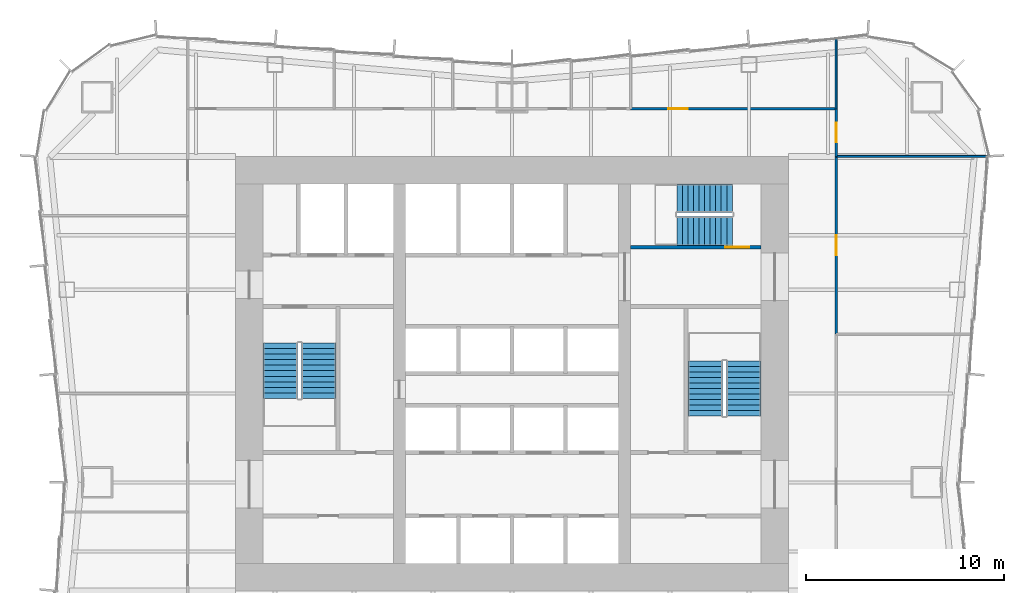
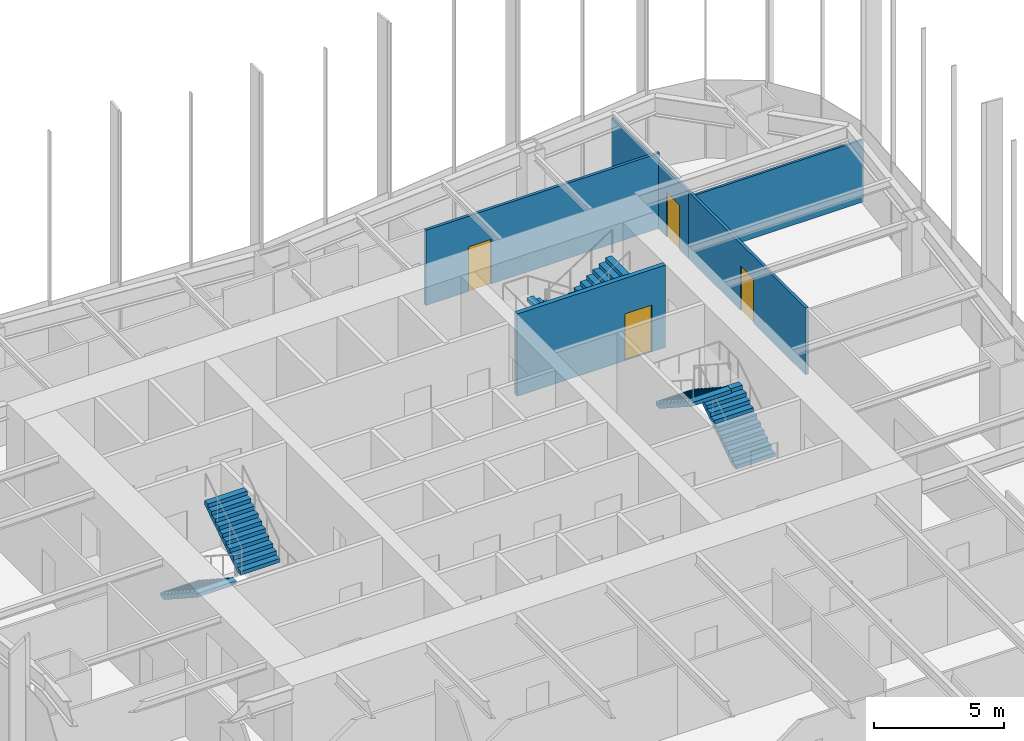
# One storey, part 12 of 13: 6 stair flights, 6 walls, 4 doors, 4 openings, 3 elements without a shape of their own.
"""IFC4 building model written with IfcOpenShell, lengths in metres."""

from ifc_helpers import new_model, si_unit, direction, frame, frame_2d, origin, place, context, subcontext, project, spatial, polyline, rectangle, outline, extrude, material, layer, layer_set, type_object, element, fill, aggregate, save


model = new_model("IFC4")

# Units and contexts
model_context = context("Model", 3, precision=1e-05, world=origin(), true_north=direction((0.0, 1.0)))
body_context = subcontext(model_context, "Body", "Model", "MODEL_VIEW")
ifc_project = project(units=[si_unit("LENGTHUNIT", "METRE"), si_unit("AREAUNIT", "SQUARE_METRE"), si_unit("VOLUMEUNIT", "CUBIC_METRE"), si_unit("PLANEANGLEUNIT", "RADIAN"), si_unit("MASSUNIT", "GRAM", prefix="KILO")], contexts=[model_context])

# Site, building, storey
site_placement = place(None, origin())
site = spatial("IfcSite", under=ifc_project, at=site_placement, CompositionType="ELEMENT")
building_placement = place(site_placement, origin())
building = spatial("IfcBuilding", under=site, at=building_placement, Name="Verdant Reach Tower", CompositionType="ELEMENT")
storey_placement = place(building_placement, frame((0.0, 0.0, 14.0)))
storey = spatial("IfcBuildingStorey", under=building, at=storey_placement, Name="L02", CompositionType="ELEMENT", Elevation=14.0)

# Wall, opening, door
ifc_material_1 = material(Name="Concrete C40/50", Category="concrete")
ifc_layer_1 = layer(ifc_material_1, 0.199951171875)
ifc_layer_set_1 = layer_set([ifc_layer_1], Name="CO-WALL-STAIR")
wall_type_1 = type_object("IfcWallType", Name="CO-WALL-STAIR", PredefinedType="PARTITIONING", material=ifc_layer_set_1)
wall_1_placement = place(storey_placement, frame((6.0, 34.39990234375, 0.0), z_axis=(0.0, 0.0, 1.0), x_axis=(1.0, 0.0, 0.0)))
wall_1 = element("IfcWall", 1, at=wall_1_placement, inside=storey, type_object=wall_type_1, Name="Stair enclosure wall, L02", PredefinedType="PARTITIONING", context=body_context, shape_type="SweptSolid", body=[
    extrude(rectangle(XDim=6.60009765625, YDim=0.199951171875, at=frame_2d((3.300048828125, 0.0))), origin(), (0.0, 0.0, 1.0), 3.8701171875),
])
opening_1_placement = place(wall_1_placement, frame((4.800048828125, 0.0, 0.0)))
opening_1 = element("IfcOpeningElement", 2, at=opening_1_placement, cuts=wall_1, Name="Opening SD", PredefinedType="OPENING", context=body_context, shape_type="SweptSolid", body=[
    extrude(rectangle(XDim=1.199951171875, YDim=2.199951171875, at=frame_2d((0.60009765625, 1.10009765625))), frame((0.0, 0.10986328125, 0.0), z_axis=(0.0, -1.0, 0.0), x_axis=(1.0, 0.0, 0.0)), (0.0, 0.0, 1.0), 0.219970703125),
])
ifc_material_2 = material(Name="Steel", Category="steel")
door_type_1 = type_object("IfcDoorType", Name="CO-DOOR-STAIR", OperationType="NOTDEFINED", PredefinedType="DOOR", material=ifc_material_2)
door_1_placement = place(opening_1_placement, origin())
door_1 = element("IfcDoor", 3, at=door_1_placement, inside=storey, type_object=door_type_1, Name="Stair door, L02", OperationType="SINGLE_SWING_RIGHT", OverallHeight=2.199951171875, OverallWidth=1.199951171875, PredefinedType="DOOR", context=body_context, shape_type="SweptSolid", body=[
    extrude(rectangle(XDim=1.199951171875, YDim=2.199951171875, at=frame_2d((0.60009765625, 1.10009765625))), frame((0.0, 0.02490234375, 0.0), z_axis=(0.0, -1.0, 0.0), x_axis=(1.0, 0.0, 0.0)), (0.0, 0.0, 1.0), 0.050048828125),
])
fill(opening_1, door_1)

# Walls
ifc_material_3 = material(Name="Gypsum board on steel studs", Category="steel")
ifc_layer_2 = layer(ifc_material_3, 0.10009765625)
ifc_layer_set_2 = layer_set([ifc_layer_2], Name="FL-W1 Partition 100")
wall_type_2 = type_object("IfcWallType", Name="FL-W1 Partition 100", PredefinedType="PARTITIONING", material=ifc_layer_set_2)
wall_2_placement = place(storey_placement, frame((16.39990234375, 41.39599609375, 0.0), z_axis=(0.0, 0.0, 1.0), x_axis=(0.0, 1.0, 0.0)))
element("IfcWall", 4, at=wall_2_placement, inside=storey, type_object=wall_type_2, Name="Partition 02.48", PredefinedType="PARTITIONING", context=body_context, shape_type="SweptSolid", body=[
    extrude(rectangle(XDim=3.55078125, YDim=0.10009765625, at=frame_2d((1.775390625, 0.0))), origin(), (0.0, 0.0, 1.0), 3.0400390625),
])
wall_3_placement = place(storey_placement, frame((24.080078125, 39.0, 0.0), z_axis=(0.0, 0.0, 1.0), x_axis=(-1.0, 0.0, 0.0)))
element("IfcWall", 5, at=wall_3_placement, inside=storey, type_object=wall_type_2, Name="Partition 02.53", PredefinedType="PARTITIONING", context=body_context, shape_type="SweptSolid", body=[
    extrude(rectangle(XDim=7.68017578125, YDim=0.10009765625, at=frame_2d((3.840087890625, 0.0))), origin(), (0.0, 0.0, 1.0), 2.929931640625),
])

# Wall, opening, door
ifc_material_4 = material(Name="Gypsum board on steel studs, fire rated", Category="steel")
ifc_layer_3 = layer(ifc_material_4, 0.125)
ifc_layer_set_3 = layer_set([ifc_layer_3], Name="FL-W2 Corridor wall 125")
wall_type_3 = type_object("IfcWallType", Name="FL-W2 Corridor wall 125", PredefinedType="PARTITIONING", material=ifc_layer_set_3)
wall_4_placement = place(storey_placement, frame((6.0, 41.39990234375, 0.0), z_axis=(0.0, 0.0, 1.0), x_axis=(1.0, 0.0, 0.0)))
wall_4 = element("IfcWall", 6, at=wall_4_placement, inside=storey, type_object=wall_type_3, Name="Partition 02.11", PredefinedType="PARTITIONING", context=body_context, shape_type="SweptSolid", body=[
    extrude(rectangle(XDim=10.39990234375, YDim=0.125, at=frame_2d((5.199951171875, 0.0))), origin(), (0.0, 0.0, 1.0), 3.5400390625),
])
opening_2_placement = place(wall_4_placement, frame((1.89990234375, 0.0, 0.0)))
opening_2 = element("IfcOpeningElement", 7, at=opening_2_placement, cuts=wall_4, Name="Opening D2", PredefinedType="OPENING", context=body_context, shape_type="SweptSolid", body=[
    extrude(rectangle(XDim=1.0, YDim=2.10009765625, at=frame_2d((0.5, 1.050048828125))), frame((0.0, 0.072509765625, 0.0), z_axis=(0.0, -1.0, 0.0), x_axis=(1.0, 0.0, 0.0)), (0.0, 0.0, 1.0), 0.14501953125),
])
ifc_material_5 = material(Name="Timber door leaf, fire rated", Category="wood")
door_type_2 = type_object("IfcDoorType", Name="FL-D2 Entrance door 1000x2100 FD30", OperationType="NOTDEFINED", PredefinedType="DOOR", material=ifc_material_5)
door_2_placement = place(opening_2_placement, origin())
door_2 = element("IfcDoor", 8, at=door_2_placement, inside=storey, type_object=door_type_2, Name="Door 02-011", OperationType="SINGLE_SWING_LEFT", OverallHeight=2.10009765625, OverallWidth=1.0, PredefinedType="DOOR", context=body_context, shape_type="SweptSolid", body=[
    extrude(rectangle(XDim=1.0, YDim=2.10009765625, at=frame_2d((0.5, 1.050048828125))), frame((0.0, 0.02490234375, 0.0), z_axis=(0.0, -1.0, 0.0), x_axis=(1.0, 0.0, 0.0)), (0.0, 0.0, 1.0), 0.050048828125),
])
fill(opening_2, door_2)

wall_5_placement = place(storey_placement, frame((16.39990234375, 39.0, 0.0), z_axis=(0.0, 0.0, 1.0), x_axis=(0.0, -1.0, 0.0)))
wall_5 = element("IfcWall", 9, at=wall_5_placement, inside=storey, type_object=wall_type_3, Name="Partition 02.17", PredefinedType="PARTITIONING", context=body_context, shape_type="SweptSolid", body=[
    extrude(rectangle(XDim=9.0, YDim=0.125, at=frame_2d((4.5, 0.0))), origin(), (0.0, 0.0, 1.0), 3.139892578125),
])
opening_3_placement = place(wall_5_placement, frame((4.0, 0.0, 0.0)))
opening_3 = element("IfcOpeningElement", 10, at=opening_3_placement, cuts=wall_5, Name="Opening D2", PredefinedType="OPENING", context=body_context, shape_type="SweptSolid", body=[
    extrude(rectangle(XDim=1.0, YDim=2.10009765625, at=frame_2d((0.5, 1.050048828125))), frame((0.0, 0.072509765625, 0.0), z_axis=(0.0, -1.0, 0.0), x_axis=(1.0, 0.0, 0.0)), (0.0, 0.0, 1.0), 0.14501953125),
])
door_3_placement = place(opening_3_placement, origin())
door_3 = element("IfcDoor", 11, at=door_3_placement, inside=storey, type_object=door_type_2, Name="Door 02-017", OperationType="SINGLE_SWING_LEFT", OverallHeight=2.10009765625, OverallWidth=1.0, PredefinedType="DOOR", context=body_context, shape_type="SweptSolid", body=[
    extrude(rectangle(XDim=1.0, YDim=2.10009765625, at=frame_2d((0.5, 1.050048828125))), frame((0.0, 0.02490234375, 0.0), z_axis=(0.0, -1.0, 0.0), x_axis=(1.0, 0.0, 0.0)), (0.0, 0.0, 1.0), 0.050048828125),
])
fill(opening_3, door_3)

wall_6_placement = place(storey_placement, frame((16.39990234375, 41.404052734375, 0.0), z_axis=(0.0, 0.0, 1.0), x_axis=(0.0, -1.0, 0.0)))
wall_6 = element("IfcWall", 12, at=wall_6_placement, inside=storey, type_object=wall_type_3, Name="Partition 02.18", PredefinedType="PARTITIONING", context=body_context, shape_type="SweptSolid", body=[
    extrude(rectangle(XDim=2.404052734375, YDim=0.125, at=frame_2d((1.2021484375, 0.0))), origin(), (0.0, 0.0, 1.0), 3.139892578125),
])
opening_4_placement = place(wall_6_placement, frame((0.701904296875, 0.0, 0.0)))
opening_4 = element("IfcOpeningElement", 13, at=opening_4_placement, cuts=wall_6, Name="Opening D2", PredefinedType="OPENING", context=body_context, shape_type="SweptSolid", body=[
    extrude(rectangle(XDim=1.0, YDim=2.10009765625, at=frame_2d((0.5, 1.050048828125))), frame((0.0, 0.072509765625, 0.0), z_axis=(0.0, -1.0, 0.0), x_axis=(1.0, 0.0, 0.0)), (0.0, 0.0, 1.0), 0.14501953125),
])
door_4_placement = place(opening_4_placement, origin())
door_4 = element("IfcDoor", 14, at=door_4_placement, inside=storey, type_object=door_type_2, Name="Door 02-018", OperationType="SINGLE_SWING_RIGHT", OverallHeight=2.10009765625, OverallWidth=1.0, PredefinedType="DOOR", context=body_context, shape_type="SweptSolid", body=[
    extrude(rectangle(XDim=1.0, YDim=2.10009765625, at=frame_2d((0.5, 1.050048828125))), frame((0.0, 0.02490234375, 0.0), z_axis=(0.0, -1.0, 0.0), x_axis=(1.0, 0.0, 0.0)), (0.0, 0.0, 1.0), 0.050048828125),
])
fill(opening_4, door_4)

# Stair, stair flights
stair_type = type_object("IfcStairType", Name="CO-STAIR", PredefinedType="HALF_TURN_STAIR", material=ifc_material_1)
stair_1_placement = place(storey_placement, origin())
stair_1 = element("IfcStair", 15, at=stair_1_placement, inside=storey, type_object=stair_type, Name="L02 Exit stair 1", PredefinedType="HALF_TURN_STAIR")
stair_flight_type = type_object("IfcStairFlightType", Name="CO-STAIR-FLIGHT", PredefinedType="STRAIGHT", material=ifc_material_1)
stair_flight_1_placement = place(storey_placement, frame((-11.72509765625, 29.550048828125, 0.0), z_axis=(0.0, 0.0, 1.0), x_axis=(0.0, -1.0, 0.0)))
stair_flight_1 = element("IfcStairFlight", 16, at=stair_flight_1_placement, type_object=stair_flight_type, Name="ST-1 flight 1", NumberOfRisers=11, NumberOfTreads=10, PredefinedType="STRAIGHT", RiserHeight=0.181818182, TreadLength=0.28, context=body_context, shape_type="SweptSolid", body=[
    extrude(outline(polyline([(0.0, 0.0), (0.0, 0.181884765625), (0.280029296875, 0.181884765625), (0.280029296875, 0.363525390625), (0.56005859375, 0.363525390625), (0.56005859375, 0.54541015625), (0.840087890625, 0.54541015625), (0.840087890625, 0.727294921875), (1.1201171875, 0.727294921875), (1.1201171875, 0.9091796875), (1.39990234375, 0.9091796875), (1.39990234375, 1.0908203125), (1.679931640625, 1.0908203125), (1.679931640625, 1.272705078125), (1.9599609375, 1.272705078125), (1.9599609375, 1.45458984375), (2.239990234375, 1.45458984375), (2.239990234375, 1.636474609375), (2.52001953125, 1.636474609375), (2.52001953125, 1.818115234375), (2.800048828125, 1.818115234375), (2.800048828125, 2.0), (2.800048828125, 1.639404296875), (0.275146484375, 0.0), (0.0, 0.0)])), frame((0.0, 0.875, 0.0), z_axis=(0.0, -1.0, 0.0), x_axis=(1.0, 0.0, 0.0)), (0.0, 0.0, 1.0), 1.75),
])
stair_flight_2_placement = place(storey_placement, frame((-9.77490234375, 26.75, 2.0), z_axis=(0.0, 0.0, 1.0), x_axis=(0.0, 1.0, 0.0)))
stair_flight_2 = element("IfcStairFlight", 17, at=stair_flight_2_placement, type_object=stair_flight_type, Name="ST-1 flight 2", NumberOfRisers=11, NumberOfTreads=10, PredefinedType="STRAIGHT", RiserHeight=0.181818182, TreadLength=0.28, context=body_context, shape_type="SweptSolid", body=[
    extrude(outline(polyline([(0.0, 0.0), (0.0, 0.181884765625), (0.280029296875, 0.181884765625), (0.280029296875, 0.363525390625), (0.56005859375, 0.363525390625), (0.56005859375, 0.54541015625), (0.840087890625, 0.54541015625), (0.840087890625, 0.727294921875), (1.1201171875, 0.727294921875), (1.1201171875, 0.9091796875), (1.39990234375, 0.9091796875), (1.39990234375, 1.0908203125), (1.679931640625, 1.0908203125), (1.679931640625, 1.272705078125), (1.9599609375, 1.272705078125), (1.9599609375, 1.45458984375), (2.239990234375, 1.45458984375), (2.239990234375, 1.636474609375), (2.52001953125, 1.636474609375), (2.52001953125, 1.818115234375), (2.800048828125, 1.818115234375), (2.800048828125, 2.0), (2.800048828125, 1.639404296875), (0.275146484375, 0.0), (0.0, 0.0)])), frame((0.0, 0.875, 0.0), z_axis=(0.0, -1.0, 0.0), x_axis=(1.0, 0.0, 0.0)), (0.0, 0.0, 1.0), 1.75),
])
aggregate(stair_1, [stair_flight_1, stair_flight_2])

stair_2_placement = place(storey_placement, origin())
stair_2 = element("IfcStair", 18, at=stair_2_placement, inside=storey, type_object=stair_type, Name="L02 Exit stair 2", PredefinedType="HALF_TURN_STAIR")
stair_flight_3_placement = place(storey_placement, frame((11.72509765625, 25.85009765625, 0.0), z_axis=(0.0, 0.0, 1.0), x_axis=(0.0, 1.0, 0.0)))
stair_flight_3 = element("IfcStairFlight", 19, at=stair_flight_3_placement, type_object=stair_flight_type, Name="ST-2 flight 1", NumberOfRisers=11, NumberOfTreads=10, PredefinedType="STRAIGHT", RiserHeight=0.181818182, TreadLength=0.28, context=body_context, shape_type="SweptSolid", body=[
    extrude(outline(polyline([(0.0, 0.0), (0.0, 0.181884765625), (0.280029296875, 0.181884765625), (0.280029296875, 0.363525390625), (0.56005859375, 0.363525390625), (0.56005859375, 0.54541015625), (0.840087890625, 0.54541015625), (0.840087890625, 0.727294921875), (1.1201171875, 0.727294921875), (1.1201171875, 0.9091796875), (1.39990234375, 0.9091796875), (1.39990234375, 1.0908203125), (1.679931640625, 1.0908203125), (1.679931640625, 1.272705078125), (1.9599609375, 1.272705078125), (1.9599609375, 1.45458984375), (2.239990234375, 1.45458984375), (2.239990234375, 1.636474609375), (2.52001953125, 1.636474609375), (2.52001953125, 1.818115234375), (2.800048828125, 1.818115234375), (2.800048828125, 2.0), (2.800048828125, 1.639404296875), (0.275146484375, 0.0), (0.0, 0.0)])), frame((0.0, 0.875, 0.0), z_axis=(0.0, -1.0, 0.0), x_axis=(1.0, 0.0, 0.0)), (0.0, 0.0, 1.0), 1.75),
])
stair_flight_4_placement = place(storey_placement, frame((9.77490234375, 28.64990234375, 2.0), z_axis=(0.0, 0.0, 1.0), x_axis=(0.0, -1.0, 0.0)))
stair_flight_4 = element("IfcStairFlight", 20, at=stair_flight_4_placement, type_object=stair_flight_type, Name="ST-2 flight 2", NumberOfRisers=11, NumberOfTreads=10, PredefinedType="STRAIGHT", RiserHeight=0.181818182, TreadLength=0.28, context=body_context, shape_type="SweptSolid", body=[
    extrude(outline(polyline([(0.0, 0.0), (0.0, 0.181884765625), (0.280029296875, 0.181884765625), (0.280029296875, 0.363525390625), (0.56005859375, 0.363525390625), (0.56005859375, 0.54541015625), (0.840087890625, 0.54541015625), (0.840087890625, 0.727294921875), (1.1201171875, 0.727294921875), (1.1201171875, 0.9091796875), (1.39990234375, 0.9091796875), (1.39990234375, 1.0908203125), (1.679931640625, 1.0908203125), (1.679931640625, 1.272705078125), (1.9599609375, 1.272705078125), (1.9599609375, 1.45458984375), (2.239990234375, 1.45458984375), (2.239990234375, 1.636474609375), (2.52001953125, 1.636474609375), (2.52001953125, 1.818115234375), (2.800048828125, 1.818115234375), (2.800048828125, 2.0), (2.800048828125, 1.639404296875), (0.275146484375, 0.0), (0.0, 0.0)])), frame((0.0, 0.875, 0.0), z_axis=(0.0, -1.0, 0.0), x_axis=(1.0, 0.0, 0.0)), (0.0, 0.0, 1.0), 1.75),
])
aggregate(stair_2, [stair_flight_3, stair_flight_4])

stair_3_placement = place(storey_placement, origin())
stair_3 = element("IfcStair", 21, at=stair_3_placement, inside=storey, type_object=stair_type, Name="L02 Exit stair 3", PredefinedType="HALF_TURN_STAIR")
stair_flight_5_placement = place(storey_placement, frame((11.14990234375, 36.875, 0.0), z_axis=(0.0, 0.0, 1.0), x_axis=(-1.0, 0.0, 0.0)))
stair_flight_5 = element("IfcStairFlight", 22, at=stair_flight_5_placement, type_object=stair_flight_type, Name="ST-3 flight 1", NumberOfRisers=11, NumberOfTreads=10, PredefinedType="STRAIGHT", RiserHeight=0.181818182, TreadLength=0.28, context=body_context, shape_type="SweptSolid", body=[
    extrude(outline(polyline([(0.0, 0.0), (0.0, 0.181884765625), (0.280029296875, 0.181884765625), (0.280029296875, 0.363525390625), (0.56005859375, 0.363525390625), (0.56005859375, 0.54541015625), (0.840087890625, 0.54541015625), (0.840087890625, 0.727294921875), (1.1201171875, 0.727294921875), (1.1201171875, 0.9091796875), (1.39990234375, 0.9091796875), (1.39990234375, 1.0908203125), (1.679931640625, 1.0908203125), (1.679931640625, 1.272705078125), (1.9599609375, 1.272705078125), (1.9599609375, 1.45458984375), (2.239990234375, 1.45458984375), (2.239990234375, 1.636474609375), (2.52001953125, 1.636474609375), (2.52001953125, 1.818115234375), (2.800048828125, 1.818115234375), (2.800048828125, 2.0), (2.800048828125, 1.639404296875), (0.275146484375, 0.0), (0.0, 0.0)])), frame((0.0, 0.72509765625, 0.0), z_axis=(0.0, -1.0, 0.0), x_axis=(1.0, 0.0, 0.0)), (0.0, 0.0, 1.0), 1.449951171875),
])
stair_flight_6_placement = place(storey_placement, frame((8.35009765625, 35.22509765625, 2.0), z_axis=(0.0, 0.0, 1.0), x_axis=(1.0, 0.0, 0.0)))
stair_flight_6 = element("IfcStairFlight", 23, at=stair_flight_6_placement, type_object=stair_flight_type, Name="ST-3 flight 2", NumberOfRisers=11, NumberOfTreads=10, PredefinedType="STRAIGHT", RiserHeight=0.181818182, TreadLength=0.28, context=body_context, shape_type="SweptSolid", body=[
    extrude(outline(polyline([(0.0, 0.0), (0.0, 0.181884765625), (0.280029296875, 0.181884765625), (0.280029296875, 0.363525390625), (0.56005859375, 0.363525390625), (0.56005859375, 0.54541015625), (0.840087890625, 0.54541015625), (0.840087890625, 0.727294921875), (1.1201171875, 0.727294921875), (1.1201171875, 0.9091796875), (1.39990234375, 0.9091796875), (1.39990234375, 1.0908203125), (1.679931640625, 1.0908203125), (1.679931640625, 1.272705078125), (1.9599609375, 1.272705078125), (1.9599609375, 1.45458984375), (2.239990234375, 1.45458984375), (2.239990234375, 1.636474609375), (2.52001953125, 1.636474609375), (2.52001953125, 1.818115234375), (2.800048828125, 1.818115234375), (2.800048828125, 2.0), (2.800048828125, 1.639404296875), (0.275146484375, 0.0), (0.0, 0.0)])), frame((0.0, 0.72509765625, 0.0), z_axis=(0.0, -1.0, 0.0), x_axis=(1.0, 0.0, 0.0)), (0.0, 0.0, 1.0), 1.449951171875),
])
aggregate(stair_3, [stair_flight_5, stair_flight_6])

save(model, "model.ifc")
